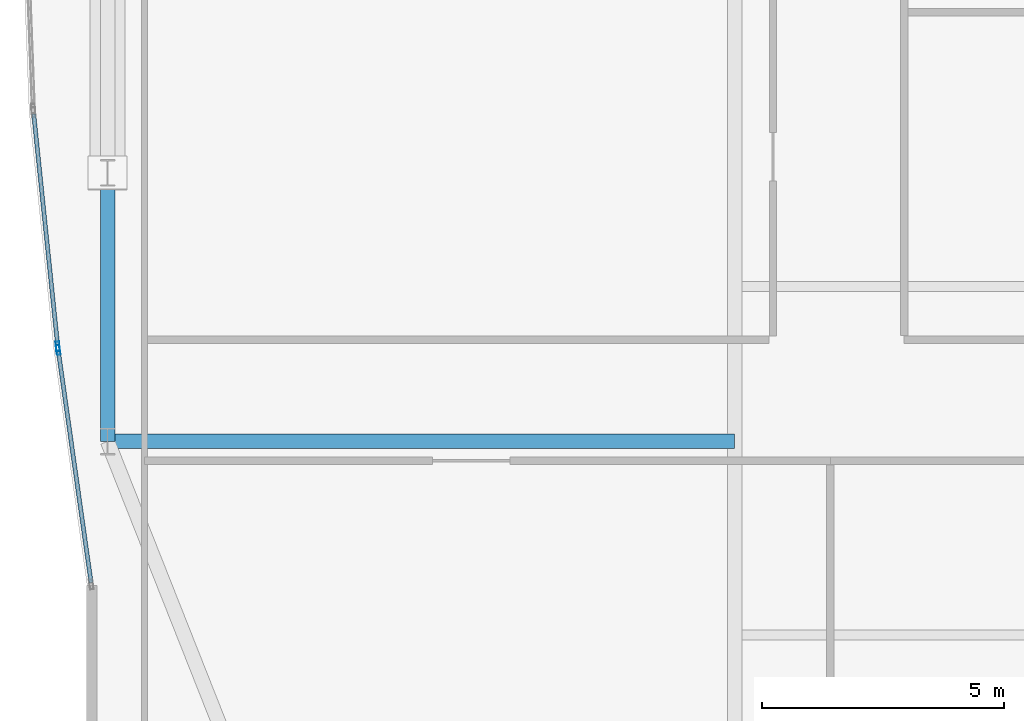
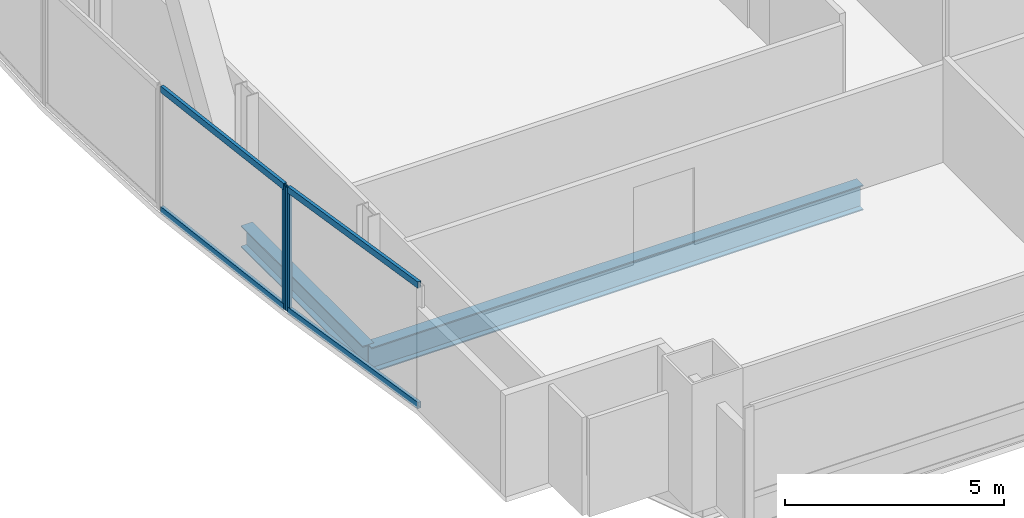
# One storey, part 6 of 30: 6 members, 2 beams, 2 elements without a shape of their own.
"""IFC4 building model written with IfcOpenShell, lengths in metres."""

from ifc_helpers import new_model, si_unit, direction, frame, origin, origin_2d, place, context, subcontext, project, spatial, hollow_rectangle, i_section, extrude, material, material_profile, profile_set, type_object, element, aggregate, save


model = new_model("IFC4")

# Units and contexts
model_context = context("Model", 3, precision=1e-05, world=origin(), true_north=direction((0.0, 1.0)))
body_context = subcontext(model_context, "Body", "Model", "MODEL_VIEW")
ifc_project = project(units=[si_unit("LENGTHUNIT", "METRE"), si_unit("AREAUNIT", "SQUARE_METRE"), si_unit("VOLUMEUNIT", "CUBIC_METRE"), si_unit("PLANEANGLEUNIT", "RADIAN"), si_unit("MASSUNIT", "GRAM", prefix="KILO")], contexts=[model_context])

# Site, building, storey
site_placement = place(None, origin())
site = spatial("IfcSite", under=ifc_project, at=site_placement, CompositionType="ELEMENT")
building_placement = place(site_placement, origin())
building = spatial("IfcBuilding", under=site, at=building_placement, Name="Khoronbel Lancet Exchange", CompositionType="ELEMENT")
storey_placement = place(building_placement, frame((0.0, 0.0, 147.0)))
storey = spatial("IfcBuildingStorey", under=building, at=storey_placement, Name="L36", CompositionType="ELEMENT", Elevation=147.0)

# Beams
ifc_material_1 = material(Name="Steel S355", Category="steel")
ifc_material_profile_1 = material_profile(ifc_material_1, i_section(OverallWidth=0.300048828125, OverallDepth=0.699951171875, WebThickness=0.01708984375, FlangeThickness=0.031982421875, at=origin_2d()), Name="HEB 700")
ifc_profile_set_1 = profile_set([ifc_material_profile_1], Name="Steel S355")
beam_type_1 = type_object("IfcBeamType", Name="BM-BG3", PredefinedType="BEAM", material=ifc_profile_set_1)
beam_1_placement = place(storey_placement, frame((5.27001953125, 19.199951171875, -0.510009765625), z_axis=(1.0, 0.0, 0.0), x_axis=(0.0, 1.0, 0.0)))
element("IfcBeam", 1, at=beam_1_placement, inside=storey, type_object=beam_type_1, Name="Level L36 west lens tie girder LG1W", PredefinedType="BEAM", context=body_context, shape_type="SweptSolid", body=[
    extrude(i_section(OverallWidth=0.300048828125, OverallDepth=0.699951171875, WebThickness=0.01708984375, FlangeThickness=0.031982421875, at=origin_2d()), origin(), (0.0, 0.0, 1.0), 12.955078125),
])
ifc_material_profile_2 = material_profile(ifc_material_1, i_section(OverallWidth=0.300048828125, OverallDepth=0.60009765625, WebThickness=0.015380859375, FlangeThickness=0.030029296875, at=origin_2d()), Name="HEB 600")
ifc_profile_set_2 = profile_set([ifc_material_profile_2], Name="Steel S355")
beam_type_2 = type_object("IfcBeamType", Name="BM-BSP2", PredefinedType="SPANDREL", material=ifc_profile_set_2)
beam_2_placement = place(storey_placement, frame((5.27001953125, 24.75, -0.4599609375), z_axis=(0.0, -1.0, 0.0), x_axis=(1.0, 0.0, 0.0)))
element("IfcBeam", 2, at=beam_2_placement, inside=storey, type_object=beam_type_2, Name="Level L36 perimeter spandrel beam SP20", PredefinedType="SPANDREL", context=body_context, shape_type="SweptSolid", body=[
    extrude(i_section(OverallWidth=0.300048828125, OverallDepth=0.60009765625, WebThickness=0.015380859375, FlangeThickness=0.030029296875, at=origin_2d()), origin(), (0.0, 0.0, 1.0), 5.550048828125),
])

# Curtain wall, member
ifc_material_2 = material(Name="Low-E Solar Control Insulating Glass", Category="glass")
curtain_wall_type = type_object("IfcCurtainWallType", Name="CW-4", PredefinedType="NOTDEFINED", material=ifc_material_2)
curtain_wall_1_placement = place(storey_placement, origin())
curtain_wall_1 = element("IfcCurtainWall", 3, at=curtain_wall_1_placement, inside=storey, type_object=curtain_wall_type, Name="Unitised curtain wall CW-L36-E04", PredefinedType="NOTDEFINED")
ifc_material_3 = material(Name="Bronze-Anodised Aluminium 6063-T6", Category="aluminium")
ifc_material_profile_3 = material_profile(ifc_material_3, hollow_rectangle(XDim=0.074951171875, YDim=0.199951171875, WallThickness=0.0048828125, at=origin_2d()), Name="ALU MULLION 75x200")
ifc_profile_set_3 = profile_set([ifc_material_profile_3], Name="Bronze-Anodised Aluminium 6063-T6")
member_type_1 = type_object("IfcMemberType", Name="MEM-CWM2", PredefinedType="MULLION", material=ifc_profile_set_3)
member_1_placement = place(storey_placement, frame((4.249755859375, 21.090576171875, 0.0), z_axis=(0.0, 0.0, 1.0), x_axis=(-0.990158054699, -0.139953659169, 0.0)))
member_1 = element("IfcMember", 4, at=member_1_placement, type_object=member_type_1, Name="CW4 mullion 2", PredefinedType="MULLION", context=body_context, shape_type="SweptSolid", body=[
    extrude(hollow_rectangle(XDim=0.074951171875, YDim=0.199951171875, WallThickness=0.0048828125, at=origin_2d()), origin(), (0.0, 0.0, 1.0), 3.43994140625),
])

curtain_wall_2_placement = place(storey_placement, origin())
curtain_wall_2 = element("IfcCurtainWall", 5, at=curtain_wall_2_placement, inside=storey, type_object=curtain_wall_type, Name="Unitised curtain wall CW-L36-E05", PredefinedType="NOTDEFINED")
member_2_placement = place(storey_placement, frame((4.240478515625, 21.164794921875, 0.0), z_axis=(0.0, 0.0, 1.0), x_axis=(-0.994688434151, -0.10293162277, 0.0)))
member_2 = element("IfcMember", 6, at=member_2_placement, type_object=member_type_1, Name="CW4 mullion 1", PredefinedType="MULLION", context=body_context, shape_type="SweptSolid", body=[
    extrude(hollow_rectangle(XDim=0.074951171875, YDim=0.199951171875, WallThickness=0.0048828125, at=origin_2d()), origin(), (0.0, 0.0, 1.0), 3.43994140625),
])

# Member
ifc_material_profile_4 = material_profile(ifc_material_3, hollow_rectangle(XDim=0.0849609375, YDim=0.179931640625, WallThickness=0.0048828125, at=origin_2d()), Name="ALU TRANSOM 85x180")
ifc_profile_set_4 = profile_set([ifc_material_profile_4], Name="Bronze-Anodised Aluminium 6063-T6")
member_type_2 = type_object("IfcMemberType", Name="MEM-CWT1", PredefinedType="USERDEFINED", material=ifc_profile_set_4)
member_3_placement = place(storey_placement, frame((4.929443359375, 16.280517578125, 0.04248046875), z_axis=(-0.139946267922, 0.990159099385, 0.0), x_axis=(-0.990159099385, -0.139946267922, 0.0)))
member_3 = element("IfcMember", 7, at=member_3_placement, type_object=member_type_2, Name="CW4 transom 1.1", ObjectType="TRANSOM", PredefinedType="USERDEFINED", context=body_context, shape_type="SweptSolid", body=[
    extrude(hollow_rectangle(XDim=0.0849609375, YDim=0.179931640625, WallThickness=0.0048828125, at=origin_2d()), origin(), (0.0, 0.0, 1.0), 4.820068359375),
])

member_4_placement = place(storey_placement, frame((4.929443359375, 16.280517578125, 3.3974609375), z_axis=(-0.139946267922, 0.990159099385, 0.0), x_axis=(-0.990159099385, -0.139946267922, 0.0)))
member_4 = element("IfcMember", 8, at=member_4_placement, type_object=member_type_2, Name="CW4 transom 1.2", ObjectType="TRANSOM", PredefinedType="USERDEFINED", context=body_context, shape_type="SweptSolid", body=[
    extrude(hollow_rectangle(XDim=0.0849609375, YDim=0.179931640625, WallThickness=0.0048828125, at=origin_2d()), origin(), (0.0, 0.0, 1.0), 4.820068359375),
])

aggregate(curtain_wall_1, [member_1, member_3, member_4])

member_5_placement = place(storey_placement, frame((4.236572265625, 21.2021484375, 0.04248046875), z_axis=(-0.10289045341, 0.994692693548, 0.0), x_axis=(-0.994692693548, -0.10289045341, 0.0)))
member_5 = element("IfcMember", 9, at=member_5_placement, type_object=member_type_2, Name="CW4 transom 1.1", ObjectType="TRANSOM", PredefinedType="USERDEFINED", context=body_context, shape_type="SweptSolid", body=[
    extrude(hollow_rectangle(XDim=0.0849609375, YDim=0.179931640625, WallThickness=0.0048828125, at=origin_2d()), origin(), (0.0, 0.0, 1.0), 4.788330078125),
])

member_6_placement = place(storey_placement, frame((4.236572265625, 21.2021484375, 3.3974609375), z_axis=(-0.10289045341, 0.994692693548, 0.0), x_axis=(-0.994692693548, -0.10289045341, 0.0)))
member_6 = element("IfcMember", 10, at=member_6_placement, type_object=member_type_2, Name="CW4 transom 1.2", ObjectType="TRANSOM", PredefinedType="USERDEFINED", context=body_context, shape_type="SweptSolid", body=[
    extrude(hollow_rectangle(XDim=0.0849609375, YDim=0.179931640625, WallThickness=0.0048828125, at=origin_2d()), origin(), (0.0, 0.0, 1.0), 4.788330078125),
])

aggregate(curtain_wall_2, [member_2, member_5, member_6])

save(model, "model.ifc")
